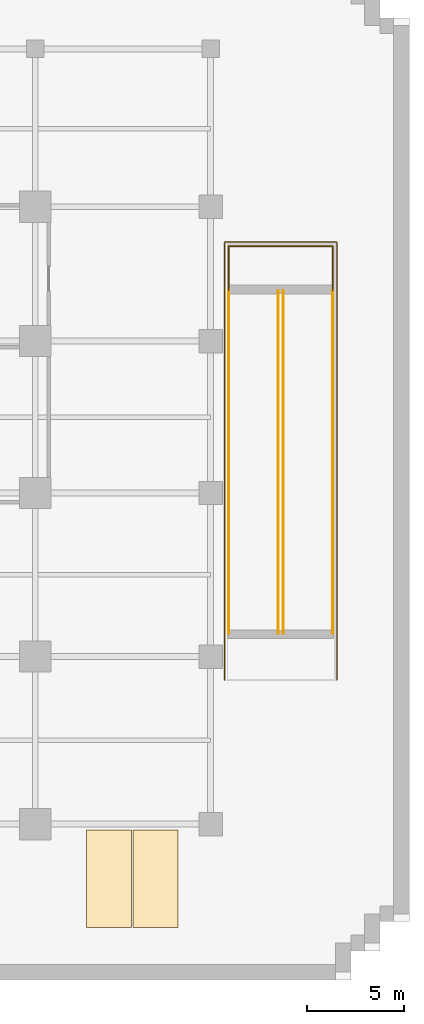
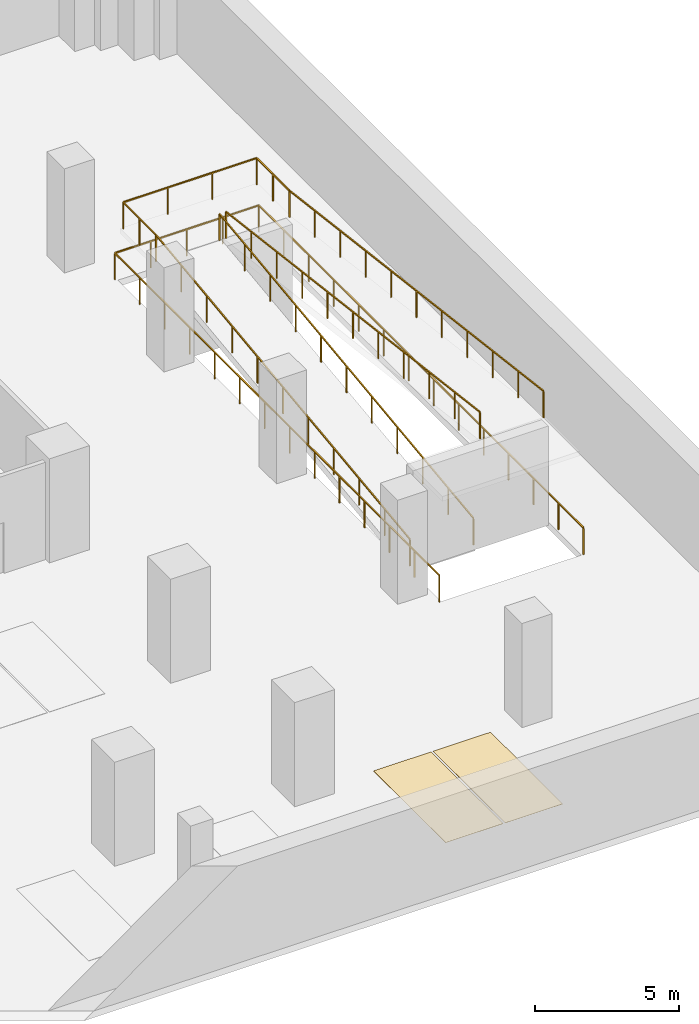
# One storey, part 12 of 13: 6 railings, 2 coverings.
"""IFC4 building model written with IfcOpenShell, lengths in metres."""

import ifcopenshell
import ifcopenshell.guid

model = None  # the IFC model being written
_history = None  # IfcOwnerHistory: only IFC2X3 demands one
_inside = {}  # id of a spatial element -> (the spatial element, [elements in it])
_under = {}  # id of a project, library or spatial element -> (it, [spatial elements below it])
_declared = {}  # id of a project -> (the project, [libraries it declares])
_typed = {}  # id of a type object -> (the type object, [elements of that type])
_made_of = {}  # id of a material, layer set ... -> (it, [elements and type objects made of it])


def new_model(schema):
    """Start an empty IFC model of exactly this schema.

    Asked for "IFC4X3", IfcOpenShell would pick the latest addendum, in which some entities
    have other attributes; the version numbers below select the first issue.
    IFC2X3 requires an IfcOwnerHistory on every rooted entity: one is made here for all.
    """
    global model, _history
    if schema == "IFC4X3":
        model = ifcopenshell.file(schema_version=(4, 3, 0, 0))
    else:
        model = ifcopenshell.file(schema=schema)
    _inside.clear()
    _under.clear()
    _declared.clear()
    _typed.clear()
    _made_of.clear()
    _history = None
    if model.schema == "IFC2X3":
        org = make("IfcOrganization", Name="unknown")
        user = make(
            "IfcPersonAndOrganization",
            ThePerson=make("IfcPerson", FamilyName="unknown"),
            TheOrganization=org,
        )
        app = make(
            "IfcApplication",
            ApplicationDeveloper=org,
            Version="unknown",
            ApplicationFullName="unknown",
            ApplicationIdentifier="unknown",
        )
        _history = make(
            "IfcOwnerHistory",
            OwningUser=user,
            OwningApplication=app,
            ChangeAction="ADDED",
            CreationDate=0,
        )
    return model


def make(cls, **values):
    """One entity of the class cls with the attributes given. An attribute that is None is left unset."""
    return model.create_entity(
        cls, **{name: value for name, value in values.items() if value is not None}
    )


def rooted(cls, **values):
    """An entity with a GlobalId (a new one), such as an element, a storey or a relation."""
    return make(cls, GlobalId=ifcopenshell.guid.new(), OwnerHistory=_history, **values)


def si_unit(unit_type, name, prefix=None):
    """IfcSIUnit, for example si_unit("LENGTHUNIT", "METRE", prefix="MILLI")."""
    return make("IfcSIUnit", UnitType=unit_type, Prefix=prefix, Name=name)


def assignment(units):
    """IfcUnitAssignment: the units of a project."""
    return None if units is None else make("IfcUnitAssignment", Units=units)


def point(xyz):
    """IfcCartesianPoint."""
    return None if xyz is None else make("IfcCartesianPoint", Coordinates=xyz)


def direction(xyz):
    """IfcDirection."""
    return None if xyz is None else make("IfcDirection", DirectionRatios=xyz)


def frame(location, z_axis=None, x_axis=None):
    """IfcAxis2Placement3D, a coordinate frame: its origin and axes. An axis left out is left unset."""
    return make(
        "IfcAxis2Placement3D",
        Location=point(location),
        Axis=direction(z_axis),
        RefDirection=direction(x_axis),
    )


def frame_2d(location, x_axis=None):
    """IfcAxis2Placement2D, a coordinate frame in the plane: its origin and x axis."""
    return make(
        "IfcAxis2Placement2D", Location=point(location), RefDirection=direction(x_axis)
    )


def origin():
    """The frame at (0, 0, 0) with its axes left unset."""
    return frame((0.0, 0.0, 0.0))


def origin_2d():
    """The frame at (0, 0) in the plane with its x axis left unset."""
    return frame_2d((0.0, 0.0))


def place(relative_to, where):
    """IfcLocalPlacement: puts the frame where relative to a parent placement (None: the world)."""
    return make(
        "IfcLocalPlacement", PlacementRelTo=relative_to, RelativePlacement=where
    )


def context(
    kind, dimensions, precision=None, world=None, true_north=None, identifier=None
):
    """IfcGeometricRepresentationContext, for example the 3D "Model" context."""
    return make(
        "IfcGeometricRepresentationContext",
        ContextIdentifier=identifier,
        ContextType=kind,
        CoordinateSpaceDimension=dimensions,
        Precision=precision,
        WorldCoordinateSystem=world,
        TrueNorth=true_north,
    )


def subcontext(parent, identifier, kind, view, scale=None):
    """IfcGeometricRepresentationSubContext, for example "Body" below "Model"."""
    return make(
        "IfcGeometricRepresentationSubContext",
        ContextIdentifier=identifier,
        ContextType=kind,
        ParentContext=parent,
        TargetScale=scale,
        TargetView=view,
    )


def project(units=None, contexts=None):
    """IfcProject with its units and contexts."""
    return rooted(
        "IfcProject",
        Name="project",
        RepresentationContexts=contexts,
        UnitsInContext=assignment(units),
    )


def spatial(cls, under=None, at=None, **own):
    """A site, building, storey or space (cls), placed at a placement, below another one or the project."""
    s = rooted(cls, ObjectPlacement=at, **own)
    if under is not None:
        _under.setdefault(under.id(), (under, []))[1].append(s)
    return s


def polyline(points):
    """IfcPolyline through the points."""
    return make("IfcPolyline", Points=[point(p) for p in points])


def profile(cls, at=None, kind="AREA", **sizes):
    """A parametric profile (cls). Its sizes go by their IFC names, for example OverallWidth=200.0."""
    return make(cls, ProfileType=kind, Position=at, **sizes)


def rectangle(**sizes):
    """IfcRectangleProfileDef."""
    return profile("IfcRectangleProfileDef", **sizes)


def outline(outer, holes=None, kind="AREA"):
    """IfcArbitraryClosedProfileDef: a profile drawn as a closed curve; with holes, ...WithVoids."""
    if holes is None:
        return make("IfcArbitraryClosedProfileDef", ProfileType=kind, OuterCurve=outer)
    return make(
        "IfcArbitraryProfileDefWithVoids",
        ProfileType=kind,
        OuterCurve=outer,
        InnerCurves=holes,
    )


def extrude(swept, where, along, depth):
    """IfcExtrudedAreaSolid: the profile swept, set in the frame where, extruded along a direction by depth."""
    return make(
        "IfcExtrudedAreaSolid",
        SweptArea=swept,
        Position=where,
        ExtrudedDirection=direction(along),
        Depth=depth,
    )


def shape(context_of_items, identifier, shape_type, items):
    """IfcShapeRepresentation: the items that make up one representation, for example the "Body"."""
    return make(
        "IfcShapeRepresentation",
        ContextOfItems=context_of_items,
        RepresentationIdentifier=identifier,
        RepresentationType=shape_type,
        Items=items,
    )


def material(Name=None, Category=None):
    """IfcMaterial."""
    return make("IfcMaterial", Name=Name, Category=Category)


def layer(
    of_material, thickness, ventilated=None, Name=None, Category=None, Priority=None
):
    """IfcMaterialLayer: one layer of a wall or slab, of a material (None: an air gap)."""
    return make(
        "IfcMaterialLayer",
        Material=of_material,
        LayerThickness=thickness,
        IsVentilated=ventilated,
        Name=Name,
        Category=Category,
        Priority=Priority,
    )


def layer_set(layers, Name=None):
    """IfcMaterialLayerSet."""
    return make("IfcMaterialLayerSet", MaterialLayers=layers, LayerSetName=Name)


def made_of(thing, what):
    """Note that an element or type object is made of a material, layer set ...; save() writes the relation."""
    if what is not None:
        _made_of.setdefault(what.id(), (what, []))[1].append(thing)
    return thing


def type_object(cls, material=None, **own):
    """A type object (cls), such as IfcWallType, which elements share."""
    return made_of(rooted(cls, **own), material)


def element(
    cls,
    number,
    at=None,
    inside=None,
    cuts=None,
    type_object=None,
    material=None,
    context=None,
    identifier="Body",
    shape_type=None,
    held_by="IfcProductDefinitionShape",
    body=None,
    shapes=None,
    **own,
):
    """One element of the class cls, such as IfcWall. Its Tag is "e" and its number.

    at: its placement. inside: the storey or other place that contains it. cuts: it is an
    opening in that element (IfcRelVoidsElement). A single representation is given by context,
    identifier, shape_type and body (its items); several are given by shapes. held_by: the class
    of the entity that holds the representations. save() writes the other relations.
    """
    e = rooted(cls, Tag="e%d" % number, ObjectPlacement=at, **own)
    if body is not None:
        shapes = [shape(context, identifier, shape_type, body)]
    if shapes is not None:
        e.Representation = make(held_by, Representations=shapes)
    if inside is not None:
        _inside.setdefault(inside.id(), (inside, []))[1].append(e)
    if cuts is not None:
        rooted(
            "IfcRelVoidsElement", RelatingBuildingElement=cuts, RelatedOpeningElement=e
        )
    if type_object is not None:
        _typed.setdefault(type_object.id(), (type_object, []))[1].append(e)
    return made_of(e, material)


def aggregate(whole, parts):
    """IfcRelAggregates: a whole, such as a stair, and the parts it consists of."""
    return rooted("IfcRelAggregates", RelatingObject=whole, RelatedObjects=parts)


def save(model, path):
    """Write the relations noted so far, then the file.

    IfcRelAggregates (storeys below a building ...), IfcRelContainedInSpatialStructure (elements
    in a storey), IfcRelDefinesByType, IfcRelAssociatesMaterial and IfcRelDeclares: one each for
    every whole, place, type object, material and project.
    """
    for whole, parts in _under.values():
        aggregate(whole, parts)
    for where, things in _inside.values():
        rooted(
            "IfcRelContainedInSpatialStructure",
            RelatedElements=things,
            RelatingStructure=where,
        )
    for kind, things in _typed.values():
        rooted("IfcRelDefinesByType", RelatedObjects=things, RelatingType=kind)
    for what, things in _made_of.values():
        rooted("IfcRelAssociatesMaterial", RelatedObjects=things, RelatingMaterial=what)
    for by, libraries in _declared.values():
        rooted("IfcRelDeclares", RelatingContext=by, RelatedDefinitions=libraries)
    model.write(path)


model = new_model("IFC4")

# Units and contexts
model_context = context("Model", 3, precision=1e-05, world=origin(), true_north=direction((0.0, 1.0)))
body_context = subcontext(model_context, "Body", "Model", "MODEL_VIEW")
ifc_project = project(units=[si_unit("LENGTHUNIT", "METRE"), si_unit("AREAUNIT", "SQUARE_METRE"), si_unit("VOLUMEUNIT", "CUBIC_METRE"), si_unit("PLANEANGLEUNIT", "RADIAN"), si_unit("MASSUNIT", "GRAM", prefix="KILO")], contexts=[model_context])

# Site, building, storey
site_placement = place(None, origin())
site = spatial("IfcSite", under=ifc_project, at=site_placement, CompositionType="ELEMENT")
building_placement = place(site_placement, origin())
building = spatial("IfcBuilding", under=site, at=building_placement, Name="Zarnakvel Exchange Tower", CompositionType="ELEMENT")
storey_placement = place(building_placement, frame((0.0, 0.0, -8.800048828125)))
storey = spatial("IfcBuildingStorey", under=building, at=storey_placement, Name="B02", CompositionType="ELEMENT", Elevation=-8.800048828125)

# Coverings
ifc_material_1 = material(Name="Thermoplastic Acrylic Bay Marking", Category="finish")
ifc_layer = layer(ifc_material_1, 0.010009765625)
ifc_layer_set = layer_set([ifc_layer], Name="Thermoplastic Acrylic Bay Marking")
covering_type = type_object("IfcCoveringType", Name="MK-01", PredefinedType="FLOORING", material=ifc_layer_set)
covering_1_placement = place(storey_placement, origin())
element("IfcCovering", 1, at=covering_1_placement, inside=storey, type_object=covering_type, Name="B02 Standard Parking Bay Marking B02-12", PredefinedType="FLOORING", context=body_context, shape_type="SweptSolid", body=[
    extrude(outline(polyline([(24.239990234375, -23.5), (26.5400390625, -23.5), (26.5400390625, -18.5), (24.239990234375, -18.5), (24.239990234375, -23.5)])), origin(), (0.0, 0.0, 1.0), 0.010009765625),
])
covering_2_placement = place(storey_placement, origin())
element("IfcCovering", 2, at=covering_2_placement, inside=storey, type_object=covering_type, Name="B02 Standard Parking Bay Marking B02-13", PredefinedType="FLOORING", context=body_context, shape_type="SweptSolid", body=[
    extrude(outline(polyline([(26.6201171875, -23.5), (28.919921875, -23.5), (28.919921875, -18.5), (26.6201171875, -18.5), (26.6201171875, -23.5)])), origin(), (0.0, 0.0, 1.0), 0.010009765625),
])

# Railings
ifc_material_2 = material(Name="Architectural Bronze Anodised Aluminium", Category="aluminium")
railing_type = type_object("IfcRailingType", Name="SG-01", PredefinedType="GUARDRAIL", material=ifc_material_2)
railing_1_placement = place(storey_placement, frame((31.530029296875, -8.39990234375, 0.0)))
element("IfcRailing", 3, at=railing_1_placement, inside=storey, type_object=railing_type, Name="B02 Ramp Flight 1 Guard FL1W", PredefinedType="GUARDRAIL", context=body_context, shape_type="SweptSolid", body=[
    extrude(rectangle(XDim=0.048095703125, YDim=0.048095703125, at=origin_2d()), frame((0.0, 0.0, 1.1259765625), z_axis=(0.0, 0.992278088476, 0.124033040481), x_axis=(-1.0, 0.0, 0.0)), (0.0, 0.0, 1.0), 17.73681640625),
    extrude(rectangle(XDim=0.0419921875, YDim=0.0419921875, at=origin_2d()), origin(), (0.0, 0.0, 1.0), 1.101806640625),
    extrude(rectangle(XDim=0.0419921875, YDim=0.0419921875, at=origin_2d()), frame((0.0, 1.760009765625, 0.219970703125)), (0.0, 0.0, 1.0), 1.101806640625),
    extrude(rectangle(XDim=0.0419921875, YDim=0.0419921875, at=origin_2d()), frame((0.0, 3.52001953125, 0.43994140625)), (0.0, 0.0, 1.0), 1.101806640625),
    extrude(rectangle(XDim=0.0419921875, YDim=0.0419921875, at=origin_2d()), frame((0.0, 5.280029296875, 0.659912109375)), (0.0, 0.0, 1.0), 1.101806640625),
    extrude(rectangle(XDim=0.0419921875, YDim=0.0419921875, at=origin_2d()), frame((0.0, 7.0400390625, 0.8798828125)), (0.0, 0.0, 1.0), 1.101806640625),
    extrude(rectangle(XDim=0.0419921875, YDim=0.0419921875, at=origin_2d()), frame((0.0, 8.7998046875, 1.10009765625)), (0.0, 0.0, 1.0), 1.101806640625),
    extrude(rectangle(XDim=0.0419921875, YDim=0.0419921875, at=origin_2d()), frame((0.0, 10.559814453125, 1.320068359375)), (0.0, 0.0, 1.0), 1.101806640625),
    extrude(rectangle(XDim=0.0419921875, YDim=0.0419921875, at=origin_2d()), frame((0.0, 12.31982421875, 1.5400390625)), (0.0, 0.0, 1.0), 1.101806640625),
    extrude(rectangle(XDim=0.0419921875, YDim=0.0419921875, at=origin_2d()), frame((0.0, 14.079833984375, 1.760009765625)), (0.0, 0.0, 1.0), 1.101806640625),
    extrude(rectangle(XDim=0.0419921875, YDim=0.0419921875, at=origin_2d()), frame((0.0, 15.83984375, 1.97998046875)), (0.0, 0.0, 1.0), 1.101806640625),
    extrude(rectangle(XDim=0.0419921875, YDim=0.0419921875, at=origin_2d()), frame((0.0, 17.599853515625, 2.199951171875)), (0.0, 0.0, 1.0), 1.101806640625),
])
railing_2_placement = place(storey_placement, frame((34.070068359375, -8.39990234375, 0.0)))
element("IfcRailing", 4, at=railing_2_placement, inside=storey, type_object=railing_type, Name="B02 Ramp Flight 1 Guard FL1E", PredefinedType="GUARDRAIL", context=body_context, shape_type="SweptSolid", body=[
    extrude(rectangle(XDim=0.048095703125, YDim=0.048095703125, at=origin_2d()), frame((0.0, 0.0, 1.1259765625), z_axis=(0.0, 0.992278088476, 0.124033040481), x_axis=(-1.0, 0.0, 0.0)), (0.0, 0.0, 1.0), 17.73681640625),
    extrude(rectangle(XDim=0.0419921875, YDim=0.0419921875, at=origin_2d()), origin(), (0.0, 0.0, 1.0), 1.101806640625),
    extrude(rectangle(XDim=0.0419921875, YDim=0.0419921875, at=origin_2d()), frame((0.0, 1.760009765625, 0.219970703125)), (0.0, 0.0, 1.0), 1.101806640625),
    extrude(rectangle(XDim=0.0419921875, YDim=0.0419921875, at=origin_2d()), frame((0.0, 3.52001953125, 0.43994140625)), (0.0, 0.0, 1.0), 1.101806640625),
    extrude(rectangle(XDim=0.0419921875, YDim=0.0419921875, at=origin_2d()), frame((0.0, 5.280029296875, 0.659912109375)), (0.0, 0.0, 1.0), 1.101806640625),
    extrude(rectangle(XDim=0.0419921875, YDim=0.0419921875, at=origin_2d()), frame((0.0, 7.0400390625, 0.8798828125)), (0.0, 0.0, 1.0), 1.101806640625),
    extrude(rectangle(XDim=0.0419921875, YDim=0.0419921875, at=origin_2d()), frame((0.0, 8.7998046875, 1.10009765625)), (0.0, 0.0, 1.0), 1.101806640625),
    extrude(rectangle(XDim=0.0419921875, YDim=0.0419921875, at=origin_2d()), frame((0.0, 10.559814453125, 1.320068359375)), (0.0, 0.0, 1.0), 1.101806640625),
    extrude(rectangle(XDim=0.0419921875, YDim=0.0419921875, at=origin_2d()), frame((0.0, 12.31982421875, 1.5400390625)), (0.0, 0.0, 1.0), 1.101806640625),
    extrude(rectangle(XDim=0.0419921875, YDim=0.0419921875, at=origin_2d()), frame((0.0, 14.079833984375, 1.760009765625)), (0.0, 0.0, 1.0), 1.101806640625),
    extrude(rectangle(XDim=0.0419921875, YDim=0.0419921875, at=origin_2d()), frame((0.0, 15.83984375, 1.97998046875)), (0.0, 0.0, 1.0), 1.101806640625),
    extrude(rectangle(XDim=0.0419921875, YDim=0.0419921875, at=origin_2d()), frame((0.0, 17.599853515625, 2.199951171875)), (0.0, 0.0, 1.0), 1.101806640625),
])
railing_3_placement = place(storey_placement, frame((34.330078125, 9.199951171875, 2.199951171875)))
element("IfcRailing", 5, at=railing_3_placement, inside=storey, type_object=railing_type, Name="B02 Ramp Flight 2 Guard FL2W", PredefinedType="GUARDRAIL", context=body_context, shape_type="SweptSolid", body=[
    extrude(rectangle(XDim=0.048095703125, YDim=0.048095703125, at=origin_2d()), frame((0.0, 0.0, 1.1259765625), z_axis=(0.0, -0.992276394301, 0.124046593314), x_axis=(1.0, 0.0, 0.0)), (0.0, 0.0, 1.0), 17.73681640625),
    extrude(rectangle(XDim=0.0419921875, YDim=0.0419921875, at=origin_2d()), origin(), (0.0, 0.0, 1.0), 1.101806640625),
    extrude(rectangle(XDim=0.0419921875, YDim=0.0419921875, at=origin_2d()), frame((0.0, -1.760009765625, 0.219970703125)), (0.0, 0.0, 1.0), 1.101806640625),
    extrude(rectangle(XDim=0.0419921875, YDim=0.0419921875, at=origin_2d()), frame((0.0, -3.52001953125, 0.43994140625)), (0.0, 0.0, 1.0), 1.101806640625),
    extrude(rectangle(XDim=0.0419921875, YDim=0.0419921875, at=origin_2d()), frame((0.0, -5.280029296875, 0.66015625)), (0.0, 0.0, 1.0), 1.101806640625),
    extrude(rectangle(XDim=0.0419921875, YDim=0.0419921875, at=origin_2d()), frame((0.0, -7.0400390625, 0.880126953125)), (0.0, 0.0, 1.0), 1.101806640625),
    extrude(rectangle(XDim=0.0419921875, YDim=0.0419921875, at=origin_2d()), frame((0.0, -8.7998046875, 1.10009765625)), (0.0, 0.0, 1.0), 1.101806640625),
    extrude(rectangle(XDim=0.0419921875, YDim=0.0419921875, at=origin_2d()), frame((0.0, -10.559814453125, 1.320068359375)), (0.0, 0.0, 1.0), 1.101806640625),
    extrude(rectangle(XDim=0.0419921875, YDim=0.0419921875, at=origin_2d()), frame((0.0, -12.31982421875, 1.5400390625)), (0.0, 0.0, 1.0), 1.101806640625),
    extrude(rectangle(XDim=0.0419921875, YDim=0.0419921875, at=origin_2d()), frame((0.0, -14.079833984375, 1.76025390625)), (0.0, 0.0, 1.0), 1.101806640625),
    extrude(rectangle(XDim=0.0419921875, YDim=0.0419921875, at=origin_2d()), frame((0.0, -15.83984375, 1.980224609375)), (0.0, 0.0, 1.0), 1.101806640625),
    extrude(rectangle(XDim=0.0419921875, YDim=0.0419921875, at=origin_2d()), frame((0.0, -17.599853515625, 2.2001953125)), (0.0, 0.0, 1.0), 1.101806640625),
])
railing_4_placement = place(storey_placement, frame((36.8701171875, 9.199951171875, 2.199951171875)))
element("IfcRailing", 6, at=railing_4_placement, inside=storey, type_object=railing_type, Name="B02 Ramp Flight 2 Guard FL2E", PredefinedType="GUARDRAIL", context=body_context, shape_type="SweptSolid", body=[
    extrude(rectangle(XDim=0.048095703125, YDim=0.048095703125, at=origin_2d()), frame((0.0, 0.0, 1.1259765625), z_axis=(0.0, -0.992276394301, 0.124046593314), x_axis=(1.0, 0.0, 0.0)), (0.0, 0.0, 1.0), 17.73681640625),
    extrude(rectangle(XDim=0.0419921875, YDim=0.0419921875, at=origin_2d()), origin(), (0.0, 0.0, 1.0), 1.101806640625),
    extrude(rectangle(XDim=0.0419921875, YDim=0.0419921875, at=origin_2d()), frame((0.0, -1.760009765625, 0.219970703125)), (0.0, 0.0, 1.0), 1.101806640625),
    extrude(rectangle(XDim=0.0419921875, YDim=0.0419921875, at=origin_2d()), frame((0.0, -3.52001953125, 0.43994140625)), (0.0, 0.0, 1.0), 1.101806640625),
    extrude(rectangle(XDim=0.0419921875, YDim=0.0419921875, at=origin_2d()), frame((0.0, -5.280029296875, 0.66015625)), (0.0, 0.0, 1.0), 1.101806640625),
    extrude(rectangle(XDim=0.0419921875, YDim=0.0419921875, at=origin_2d()), frame((0.0, -7.0400390625, 0.880126953125)), (0.0, 0.0, 1.0), 1.101806640625),
    extrude(rectangle(XDim=0.0419921875, YDim=0.0419921875, at=origin_2d()), frame((0.0, -8.7998046875, 1.10009765625)), (0.0, 0.0, 1.0), 1.101806640625),
    extrude(rectangle(XDim=0.0419921875, YDim=0.0419921875, at=origin_2d()), frame((0.0, -10.559814453125, 1.320068359375)), (0.0, 0.0, 1.0), 1.101806640625),
    extrude(rectangle(XDim=0.0419921875, YDim=0.0419921875, at=origin_2d()), frame((0.0, -12.31982421875, 1.5400390625)), (0.0, 0.0, 1.0), 1.101806640625),
    extrude(rectangle(XDim=0.0419921875, YDim=0.0419921875, at=origin_2d()), frame((0.0, -14.079833984375, 1.76025390625)), (0.0, 0.0, 1.0), 1.101806640625),
    extrude(rectangle(XDim=0.0419921875, YDim=0.0419921875, at=origin_2d()), frame((0.0, -15.83984375, 1.980224609375)), (0.0, 0.0, 1.0), 1.101806640625),
    extrude(rectangle(XDim=0.0419921875, YDim=0.0419921875, at=origin_2d()), frame((0.0, -17.599853515625, 2.2001953125)), (0.0, 0.0, 1.0), 1.101806640625),
])
railing_5_placement = place(storey_placement, frame((31.530029296875, 9.199951171875, 2.199951171875)))
element("IfcRailing", 7, at=railing_5_placement, inside=storey, type_object=railing_type, Name="B02 Ramp Mid-Landing Guardrail", PredefinedType="GUARDRAIL", context=body_context, shape_type="SweptSolid", body=[
    extrude(rectangle(XDim=0.048095703125, YDim=0.048095703125, at=origin_2d()), frame((0.0, 0.0, 1.1259765625), z_axis=(0.0, 1.0, 0.0), x_axis=(-1.0, 0.0, 0.0)), (0.0, 0.0, 1.0), 2.27001953125),
    extrude(rectangle(XDim=0.048095703125, YDim=0.048095703125, at=origin_2d()), frame((0.0, 2.27001953125, 1.1259765625), z_axis=(1.0, 0.0, 0.0), x_axis=(0.0, 1.0, 0.0)), (0.0, 0.0, 1.0), 5.340087890625),
    extrude(rectangle(XDim=0.048095703125, YDim=0.048095703125, at=origin_2d()), frame((5.340087890625, 2.27001953125, 1.1259765625), z_axis=(0.0, -1.0, 0.0), x_axis=(1.0, 0.0, 0.0)), (0.0, 0.0, 1.0), 2.27001953125),
    extrude(rectangle(XDim=0.0419921875, YDim=0.0419921875, at=origin_2d()), origin(), (0.0, 0.0, 1.0), 1.101806640625),
    extrude(rectangle(XDim=0.0419921875, YDim=0.0419921875, at=origin_2d()), frame((0.0, 1.135009765625, 0.0)), (0.0, 0.0, 1.0), 1.101806640625),
    extrude(rectangle(XDim=0.0419921875, YDim=0.0419921875, at=origin_2d()), frame((0.0, 2.27001953125, 0.0)), (0.0, 0.0, 1.0), 1.101806640625),
    extrude(rectangle(XDim=0.0419921875, YDim=0.0419921875, at=origin_2d()), frame((1.780029296875, 2.27001953125, 0.0)), (0.0, 0.0, 1.0), 1.101806640625),
    extrude(rectangle(XDim=0.0419921875, YDim=0.0419921875, at=origin_2d()), frame((3.56005859375, 2.27001953125, 0.0)), (0.0, 0.0, 1.0), 1.101806640625),
    extrude(rectangle(XDim=0.0419921875, YDim=0.0419921875, at=origin_2d()), frame((5.340087890625, 2.27001953125, 0.0)), (0.0, 0.0, 1.0), 1.101806640625),
    extrude(rectangle(XDim=0.0419921875, YDim=0.0419921875, at=origin_2d()), frame((5.340087890625, 1.135009765625, 0.0)), (0.0, 0.0, 1.0), 1.101806640625),
    extrude(rectangle(XDim=0.0419921875, YDim=0.0419921875, at=origin_2d()), frame((5.340087890625, 0.0, 0.0)), (0.0, 0.0, 1.0), 1.101806640625),
])
railing_6_placement = place(storey_placement, frame((31.320068359375, -10.800048828125, 0.0)))
element("IfcRailing", 8, at=railing_6_placement, inside=storey, type_object=railing_type, Name="B02 Ramp Void Perimeter Guardrail", PredefinedType="GUARDRAIL", context=body_context, shape_type="SweptSolid", body=[
    extrude(rectangle(XDim=0.048095703125, YDim=0.048095703125, at=origin_2d()), frame((0.0, 0.0, 1.1259765625), z_axis=(0.0, 1.0, 0.0), x_axis=(-1.0, 0.0, 0.0)), (0.0, 0.0, 1.0), 22.47998046875),
    extrude(rectangle(XDim=0.048095703125, YDim=0.048095703125, at=origin_2d()), frame((0.0, 22.47998046875, 1.1259765625), z_axis=(1.0, 0.0, 0.0), x_axis=(0.0, 1.0, 0.0)), (0.0, 0.0, 1.0), 5.760009765625),
    extrude(rectangle(XDim=0.048095703125, YDim=0.048095703125, at=origin_2d()), frame((5.760009765625, 22.47998046875, 1.1259765625), z_axis=(0.0, -1.0, 0.0), x_axis=(1.0, 0.0, 0.0)), (0.0, 0.0, 1.0), 22.47998046875),
    extrude(rectangle(XDim=0.0419921875, YDim=0.0419921875, at=origin_2d()), origin(), (0.0, 0.0, 1.0), 1.101806640625),
    extrude(rectangle(XDim=0.0419921875, YDim=0.0419921875, at=origin_2d()), frame((0.0, 1.729248046875, 0.0)), (0.0, 0.0, 1.0), 1.101806640625),
    extrude(rectangle(XDim=0.0419921875, YDim=0.0419921875, at=origin_2d()), frame((0.0, 3.45849609375, 0.0)), (0.0, 0.0, 1.0), 1.101806640625),
    extrude(rectangle(XDim=0.0419921875, YDim=0.0419921875, at=origin_2d()), frame((0.0, 5.187744140625, 0.0)), (0.0, 0.0, 1.0), 1.101806640625),
    extrude(rectangle(XDim=0.0419921875, YDim=0.0419921875, at=origin_2d()), frame((0.0, 6.9169921875, 0.0)), (0.0, 0.0, 1.0), 1.101806640625),
    extrude(rectangle(XDim=0.0419921875, YDim=0.0419921875, at=origin_2d()), frame((0.0, 8.646240234375, 0.0)), (0.0, 0.0, 1.0), 1.101806640625),
    extrude(rectangle(XDim=0.0419921875, YDim=0.0419921875, at=origin_2d()), frame((0.0, 10.37548828125, 0.0)), (0.0, 0.0, 1.0), 1.101806640625),
    extrude(rectangle(XDim=0.0419921875, YDim=0.0419921875, at=origin_2d()), frame((0.0, 12.1044921875, 0.0)), (0.0, 0.0, 1.0), 1.101806640625),
    extrude(rectangle(XDim=0.0419921875, YDim=0.0419921875, at=origin_2d()), frame((0.0, 13.833740234375, 0.0)), (0.0, 0.0, 1.0), 1.101806640625),
    extrude(rectangle(XDim=0.0419921875, YDim=0.0419921875, at=origin_2d()), frame((0.0, 15.56298828125, 0.0)), (0.0, 0.0, 1.0), 1.101806640625),
    extrude(rectangle(XDim=0.0419921875, YDim=0.0419921875, at=origin_2d()), frame((0.0, 17.292236328125, 0.0)), (0.0, 0.0, 1.0), 1.101806640625),
    extrude(rectangle(XDim=0.0419921875, YDim=0.0419921875, at=origin_2d()), frame((0.0, 19.021484375, 0.0)), (0.0, 0.0, 1.0), 1.101806640625),
    extrude(rectangle(XDim=0.0419921875, YDim=0.0419921875, at=origin_2d()), frame((0.0, 20.750732421875, 0.0)), (0.0, 0.0, 1.0), 1.101806640625),
    extrude(rectangle(XDim=0.0419921875, YDim=0.0419921875, at=origin_2d()), frame((0.0, 22.47998046875, 0.0)), (0.0, 0.0, 1.0), 1.101806640625),
    extrude(rectangle(XDim=0.0419921875, YDim=0.0419921875, at=origin_2d()), frame((1.43994140625, 22.47998046875, 0.0)), (0.0, 0.0, 1.0), 1.101806640625),
    extrude(rectangle(XDim=0.0419921875, YDim=0.0419921875, at=origin_2d()), frame((2.8798828125, 22.47998046875, 0.0)), (0.0, 0.0, 1.0), 1.101806640625),
    extrude(rectangle(XDim=0.0419921875, YDim=0.0419921875, at=origin_2d()), frame((4.320068359375, 22.47998046875, 0.0)), (0.0, 0.0, 1.0), 1.101806640625),
    extrude(rectangle(XDim=0.0419921875, YDim=0.0419921875, at=origin_2d()), frame((5.760009765625, 22.47998046875, 0.0)), (0.0, 0.0, 1.0), 1.101806640625),
    extrude(rectangle(XDim=0.0419921875, YDim=0.0419921875, at=origin_2d()), frame((5.760009765625, 20.750732421875, 0.0)), (0.0, 0.0, 1.0), 1.101806640625),
    extrude(rectangle(XDim=0.0419921875, YDim=0.0419921875, at=origin_2d()), frame((5.760009765625, 19.021484375, 0.0)), (0.0, 0.0, 1.0), 1.101806640625),
    extrude(rectangle(XDim=0.0419921875, YDim=0.0419921875, at=origin_2d()), frame((5.760009765625, 17.292236328125, 0.0)), (0.0, 0.0, 1.0), 1.101806640625),
    extrude(rectangle(XDim=0.0419921875, YDim=0.0419921875, at=origin_2d()), frame((5.760009765625, 15.56298828125, 0.0)), (0.0, 0.0, 1.0), 1.101806640625),
    extrude(rectangle(XDim=0.0419921875, YDim=0.0419921875, at=origin_2d()), frame((5.760009765625, 13.833740234375, 0.0)), (0.0, 0.0, 1.0), 1.101806640625),
    extrude(rectangle(XDim=0.0419921875, YDim=0.0419921875, at=origin_2d()), frame((5.760009765625, 12.1044921875, 0.0)), (0.0, 0.0, 1.0), 1.101806640625),
    extrude(rectangle(XDim=0.0419921875, YDim=0.0419921875, at=origin_2d()), frame((5.760009765625, 10.37548828125, 0.0)), (0.0, 0.0, 1.0), 1.101806640625),
    extrude(rectangle(XDim=0.0419921875, YDim=0.0419921875, at=origin_2d()), frame((5.760009765625, 8.646240234375, 0.0)), (0.0, 0.0, 1.0), 1.101806640625),
    extrude(rectangle(XDim=0.0419921875, YDim=0.0419921875, at=origin_2d()), frame((5.760009765625, 6.9169921875, 0.0)), (0.0, 0.0, 1.0), 1.101806640625),
    extrude(rectangle(XDim=0.0419921875, YDim=0.0419921875, at=origin_2d()), frame((5.760009765625, 5.187744140625, 0.0)), (0.0, 0.0, 1.0), 1.101806640625),
    extrude(rectangle(XDim=0.0419921875, YDim=0.0419921875, at=origin_2d()), frame((5.760009765625, 3.45849609375, 0.0)), (0.0, 0.0, 1.0), 1.101806640625),
    extrude(rectangle(XDim=0.0419921875, YDim=0.0419921875, at=origin_2d()), frame((5.760009765625, 1.729248046875, 0.0)), (0.0, 0.0, 1.0), 1.101806640625),
    extrude(rectangle(XDim=0.0419921875, YDim=0.0419921875, at=origin_2d()), frame((5.760009765625, 0.0, 0.0)), (0.0, 0.0, 1.0), 1.101806640625),
])

save(model, "model.ifc")
